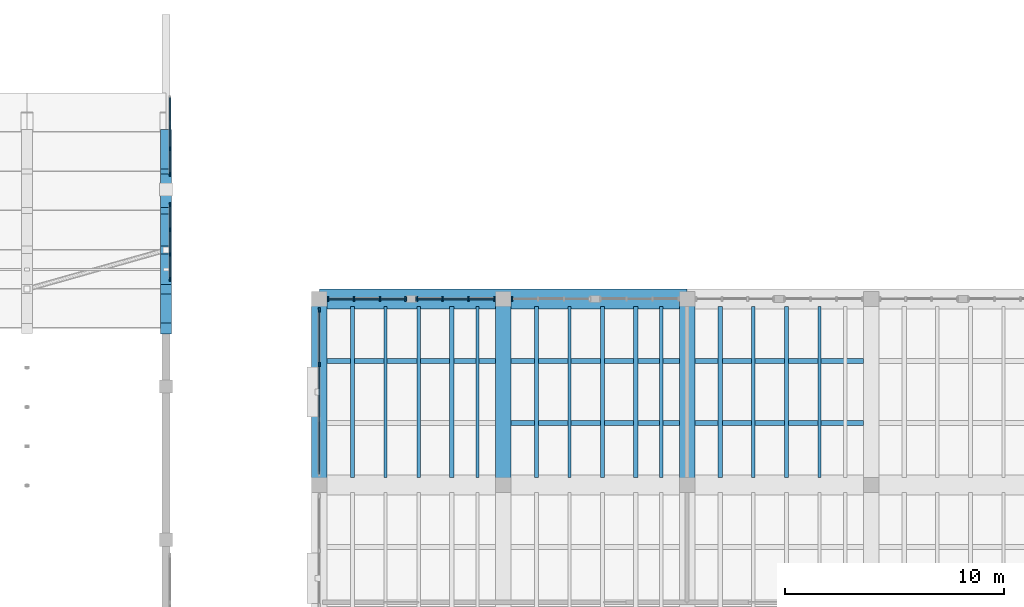
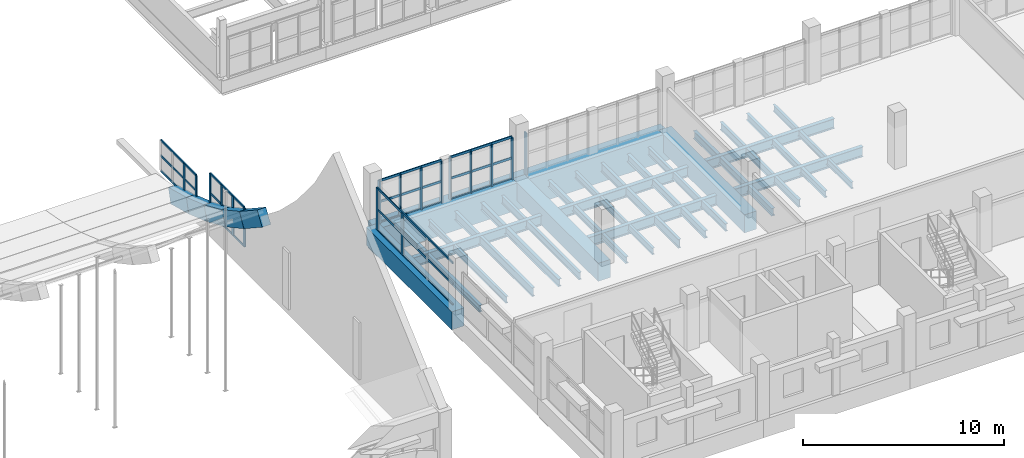
# One storey, part 34 of 77: 37 members, 23 beams, 6 elements without a shape of their own.
"""IFC4 building model written with IfcOpenShell, lengths in metres."""

from ifc_helpers import new_model, si_unit, direction, frame, origin, origin_2d, place, context, subcontext, project, spatial, rectangle, i_section, extrude, material, layer, layer_set, material_profile, profile_set, type_object, element, aggregate, save


model = new_model("IFC4")

# Units and contexts
model_context = context("Model", 3, precision=1e-05, world=origin(), true_north=direction((0.0, 1.0)))
body_context = subcontext(model_context, "Body", "Model", "MODEL_VIEW")
ifc_project = project(units=[si_unit("LENGTHUNIT", "METRE"), si_unit("AREAUNIT", "SQUARE_METRE"), si_unit("VOLUMEUNIT", "CUBIC_METRE"), si_unit("PLANEANGLEUNIT", "RADIAN"), si_unit("MASSUNIT", "GRAM", prefix="KILO")], contexts=[model_context])

# Site, building, storey
site_placement = place(None, origin())
site = spatial("IfcSite", under=ifc_project, at=site_placement, CompositionType="ELEMENT")
building_placement = place(site_placement, origin())
building = spatial("IfcBuilding", under=site, at=building_placement, Name="Trellovar Central Fire Station", CompositionType="ELEMENT")
storey_placement = place(building_placement, frame((0.0, 0.0, 5.85009765625)))
storey = spatial("IfcBuildingStorey", under=building, at=storey_placement, Name="L02", CompositionType="ELEMENT", Elevation=5.85009765625)

# Beams
ifc_material_1 = material(Name="Concrete C40/50", Category="concrete")
ifc_material_profile_1 = material_profile(ifc_material_1, rectangle(XDim=0.699951171875, YDim=1.10009765625, at=origin_2d()), Name="RC700X1100")
ifc_profile_set_1 = profile_set([ifc_material_profile_1], Name="Concrete C40/50")
beam_type_1 = type_object("IfcBeamType", Name="BM-RG1", PredefinedType="BEAM", material=ifc_profile_set_1)
for number, where, z_axis, x_axis, name in (
    (1, (105.5, 24.5, -0.550048828125), (0.0, 1.0, 0.0), (-1.0, 0.0, 0.0), "L02 transverse transfer tie girder"),
    (2, (113.89990234375, 24.5, -0.550048828125), (0.0, 1.0, 0.0), (-1.0, 0.0, 0.0), "L02 transverse transfer tie girder"),
    (3, (122.300048828125, 24.5, -0.550048828125), (0.0, 1.0, 0.0), (-1.0, 0.0, 0.0), "L02 transverse transfer tie girder"),
):
    element("IfcBeam", number, at=place(storey_placement, frame(where, z_axis=z_axis, x_axis=x_axis)), inside=storey, type_object=beam_type_1, Name=name, PredefinedType="BEAM", context=body_context, shape_type="SweptSolid", body=[
        extrude(rectangle(XDim=0.699951171875, YDim=1.10009765625, at=origin_2d()), origin(), (0.0, 0.0, 1.0), 8.5),
    ])
ifc_material_2 = material(Name="Steel ASTM A992 Grade 50", Category="steel")
ifc_material_profile_2 = material_profile(ifc_material_2, i_section(OverallWidth=0.15283203125, OverallDepth=0.45458984375, WebThickness=0.008056640625, FlangeThickness=0.01318359375, FilletRadius=0.0126953125, at=origin_2d()), Name="W18X40")
ifc_profile_set_2 = profile_set([ifc_material_profile_2], Name="Steel ASTM A992 Grade 50")
beam_type_2 = type_object("IfcBeamType", Name="BM-SW10", PredefinedType="JOIST", material=ifc_profile_set_2)
for number, where, z_axis, x_axis, name in (
    (4, (112.72412109375, 24.840087890625, -0.677490234375), (0.0, 1.0, 0.0), (-1.0, 0.0, 0.0), "L02 secondary steel deck joist"),
    (5, (121.1240234375, 24.840087890625, -0.677490234375), (0.0, 1.0, 0.0), (-1.0, 0.0, 0.0), "L02 secondary steel deck joist"),
    (6, (125.323974609375, 24.840087890625, -0.677490234375), (0.0, 1.0, 0.0), (-1.0, 0.0, 0.0), "L02 secondary steel deck joist"),
):
    element("IfcBeam", number, at=place(storey_placement, frame(where, z_axis=z_axis, x_axis=x_axis)), inside=storey, type_object=beam_type_2, Name=name, PredefinedType="JOIST", context=body_context, shape_type="SweptSolid", body=[
        extrude(i_section(OverallWidth=0.15283203125, OverallDepth=0.45458984375, WebThickness=0.008056640625, FlangeThickness=0.01318359375, FilletRadius=0.0126953125, at=origin_2d()), origin(), (0.0, 0.0, 1.0), 7.81982421875),
    ])
ifc_material_3 = material(Name="Steel ASTM A992 Grade 50", Category="steel")
ifc_material_profile_3 = material_profile(ifc_material_3, i_section(OverallWidth=0.177490234375, OverallDepth=0.40380859375, WebThickness=0.007568359375, FlangeThickness=0.010986328125, FilletRadius=0.011474609375, at=origin_2d()), Name="W16X36")
ifc_profile_set_3 = profile_set([ifc_material_profile_3], Name="Steel ASTM A992 Grade 50")
beam_type_3 = type_object("IfcBeamType", Name="BM-SW11", PredefinedType="JOIST", material=ifc_profile_set_3)
for number, where, z_axis, x_axis, name in (
    (7, (107.011962890625, 24.840087890625, -0.652099609375), (0.0, 1.0, 0.0), (-1.0, 0.0, 0.0), "L02 secondary steel deck joist"),
    (8, (115.412109375, 24.840087890625, -0.652099609375), (0.0, 1.0, 0.0), (-1.0, 0.0, 0.0), "L02 secondary steel deck joist"),
    (9, (126.8359375, 24.840087890625, -0.652099609375), (0.0, 1.0, 0.0), (-1.0, 0.0, 0.0), "L02 secondary steel deck joist"),
):
    element("IfcBeam", number, at=place(storey_placement, frame(where, z_axis=z_axis, x_axis=x_axis)), inside=storey, type_object=beam_type_3, Name=name, PredefinedType="JOIST", context=body_context, shape_type="SweptSolid", body=[
        extrude(i_section(OverallWidth=0.177490234375, OverallDepth=0.40380859375, WebThickness=0.007568359375, FlangeThickness=0.010986328125, FilletRadius=0.011474609375, at=origin_2d()), origin(), (0.0, 0.0, 1.0), 7.81982421875),
    ])
ifc_material_4 = material(Name="Steel ASTM A992 Grade 50", Category="steel")
ifc_material_profile_4 = material_profile(ifc_material_4, i_section(OverallWidth=0.140380859375, OverallDepth=0.4033203125, WebThickness=0.007080078125, FlangeThickness=0.01123046875, FilletRadius=0.011474609375, at=origin_2d()), Name="W16X31")
ifc_profile_set_4 = profile_set([ifc_material_profile_4], Name="Steel ASTM A992 Grade 50")
beam_type_4 = type_object("IfcBeamType", Name="BM-SW12", PredefinedType="JOIST", material=ifc_profile_set_4)
for number, where, z_axis, x_axis, name in (
    (10, (108.52392578125, 24.840087890625, -0.65185546875), (0.0, 1.0, 0.0), (-1.0, 0.0, 0.0), "L02 secondary steel deck joist"),
    (11, (116.924072265625, 24.840087890625, -0.65185546875), (0.0, 1.0, 0.0), (-1.0, 0.0, 0.0), "L02 secondary steel deck joist"),
    (12, (128.347900390625, 24.840087890625, -0.65185546875), (0.0, 1.0, 0.0), (-1.0, 0.0, 0.0), "L02 secondary steel deck joist"),
):
    element("IfcBeam", number, at=place(storey_placement, frame(where, z_axis=z_axis, x_axis=x_axis)), inside=storey, type_object=beam_type_4, Name=name, PredefinedType="JOIST", context=body_context, shape_type="SweptSolid", body=[
        extrude(i_section(OverallWidth=0.140380859375, OverallDepth=0.4033203125, WebThickness=0.007080078125, FlangeThickness=0.01123046875, FilletRadius=0.011474609375, at=origin_2d()), origin(), (0.0, 0.0, 1.0), 7.81982421875),
    ])
ifc_material_5 = material(Name="Steel ASTM A992 Grade 50", Category="steel")
ifc_material_profile_5 = material_profile(ifc_material_5, i_section(OverallWidth=0.227783203125, OverallDepth=0.60205078125, WebThickness=0.010498046875, FlangeThickness=0.014892578125, FilletRadius=0.01513671875, at=origin_2d()), Name="W24X68")
ifc_profile_set_5 = profile_set([ifc_material_profile_5], Name="Steel ASTM A992 Grade 50")
beam_type_5 = type_object("IfcBeamType", Name="BM-SW6", PredefinedType="BEAM", material=ifc_profile_set_5)
for number, where, z_axis, x_axis, name in (
    (13, (105.85009765625, 30.166748046875, -0.7509765625), (1.0, 0.0, 0.0), (0.0, 1.0, 0.0), "L02 transfer deck secondary steel beam"),
    (14, (114.25, 27.333251953125, -0.7509765625), (1.0, 0.0, 0.0), (0.0, 1.0, 0.0), "L02 transfer deck secondary steel beam"),
    (15, (114.25, 30.166748046875, -0.7509765625), (1.0, 0.0, 0.0), (0.0, 1.0, 0.0), "L02 transfer deck secondary steel beam"),
):
    element("IfcBeam", number, at=place(storey_placement, frame(where, z_axis=z_axis, x_axis=x_axis)), inside=storey, type_object=beam_type_5, Name=name, PredefinedType="BEAM", context=body_context, shape_type="SweptSolid", body=[
        extrude(i_section(OverallWidth=0.227783203125, OverallDepth=0.60205078125, WebThickness=0.010498046875, FlangeThickness=0.014892578125, FilletRadius=0.01513671875, at=origin_2d()), origin(), (0.0, 0.0, 1.0), 7.699951171875),
    ])
for number, where, z_axis, x_axis, name in (
    (16, (122.64990234375, 27.333251953125, -0.7509765625), (1.0, 0.0, 0.0), (0.0, 1.0, 0.0), "L02 transfer deck secondary steel beam"),
    (17, (122.64990234375, 30.166748046875, -0.7509765625), (1.0, 0.0, 0.0), (0.0, 1.0, 0.0), "L02 transfer deck secondary steel beam"),
):
    element("IfcBeam", number, at=place(storey_placement, frame(where, z_axis=z_axis, x_axis=x_axis)), inside=storey, type_object=beam_type_5, Name=name, PredefinedType="BEAM", context=body_context, shape_type="SweptSolid", body=[
        extrude(i_section(OverallWidth=0.227783203125, OverallDepth=0.60205078125, WebThickness=0.010498046875, FlangeThickness=0.014892578125, FilletRadius=0.01513671875, at=origin_2d()), origin(), (0.0, 0.0, 1.0), 7.7001953125),
    ])
ifc_material_6 = material(Name="Steel ASTM A992 Grade 50", Category="steel")
ifc_material_profile_6 = material_profile(ifc_material_6, i_section(OverallWidth=0.166015625, OverallDepth=0.529052734375, WebThickness=0.009765625, FlangeThickness=0.013671875, FilletRadius=0.013916015625, at=origin_2d()), Name="W21X50")
ifc_profile_set_6 = profile_set([ifc_material_profile_6], Name="Steel ASTM A992 Grade 50")
beam_type_6 = type_object("IfcBeamType", Name="BM-SW8", PredefinedType="JOIST", material=ifc_profile_set_6)
for number, where, z_axis, x_axis, name in (
    (18, (110.035888671875, 24.840087890625, -0.714599609375), (0.0, 1.0, 0.0), (-1.0, 0.0, 0.0), "L02 secondary steel deck joist"),
    (19, (118.43603515625, 24.840087890625, -0.714599609375), (0.0, 1.0, 0.0), (-1.0, 0.0, 0.0), "L02 secondary steel deck joist"),
):
    element("IfcBeam", number, at=place(storey_placement, frame(where, z_axis=z_axis, x_axis=x_axis)), inside=storey, type_object=beam_type_6, Name=name, PredefinedType="JOIST", context=body_context, shape_type="SweptSolid", body=[
        extrude(i_section(OverallWidth=0.166015625, OverallDepth=0.529052734375, WebThickness=0.009765625, FlangeThickness=0.013671875, FilletRadius=0.013916015625, at=origin_2d()), origin(), (0.0, 0.0, 1.0), 7.81982421875),
    ])
ifc_material_7 = material(Name="Steel ASTM A992 Grade 50", Category="steel")
ifc_material_profile_7 = material_profile(ifc_material_7, i_section(OverallWidth=0.1904296875, OverallDepth=0.457275390625, WebThickness=0.009033203125, FlangeThickness=0.014404296875, FilletRadius=0.0126953125, at=origin_2d()), Name="W18X50")
ifc_profile_set_7 = profile_set([ifc_material_profile_7], Name="Steel ASTM A992 Grade 50")
beam_type_7 = type_object("IfcBeamType", Name="BM-SW9", PredefinedType="JOIST", material=ifc_profile_set_7)
for number, where, z_axis, x_axis, name in (
    (20, (111.548095703125, 24.840087890625, -0.6787109375), (0.0, 1.0, 0.0), (-1.0, 0.0, 0.0), "L02 secondary steel deck joist"),
    (21, (119.947998046875, 24.840087890625, -0.6787109375), (0.0, 1.0, 0.0), (-1.0, 0.0, 0.0), "L02 secondary steel deck joist"),
    (22, (123.81201171875, 24.840087890625, -0.6787109375), (0.0, 1.0, 0.0), (-1.0, 0.0, 0.0), "L02 secondary steel deck joist"),
):
    element("IfcBeam", number, at=place(storey_placement, frame(where, z_axis=z_axis, x_axis=x_axis)), inside=storey, type_object=beam_type_7, Name=name, PredefinedType="JOIST", context=body_context, shape_type="SweptSolid", body=[
        extrude(i_section(OverallWidth=0.1904296875, OverallDepth=0.457275390625, WebThickness=0.009033203125, FlangeThickness=0.014404296875, FilletRadius=0.0126953125, at=origin_2d()), origin(), (0.0, 0.0, 1.0), 7.81982421875),
    ])
ifc_material_8 = material(Name="Concrete C45/55", Category="concrete")
ifc_material_profile_8 = material_profile(ifc_material_8, rectangle(XDim=0.89990234375, YDim=1.64990234375, at=origin_2d()), Name="RC900X1650")
ifc_profile_set_8 = profile_set([ifc_material_profile_8], Name="Concrete C45/55")
beam_type_8 = type_object("IfcBeamType", Name="BM-TG1", PredefinedType="BEAM", material=ifc_profile_set_8)
beam_placement = place(storey_placement, frame((105.5, 33.0, -0.8251953125), z_axis=(1.0, 0.0, 0.0), x_axis=(0.0, 1.0, 0.0)))
element("IfcBeam", 23, at=beam_placement, inside=storey, type_object=beam_type_8, Name="L02 RC transfer girder TG-1 (105.5..122.3, Y=33.0)", PredefinedType="BEAM", context=body_context, shape_type="SweptSolid", body=[
    extrude(rectangle(XDim=0.89990234375, YDim=1.64990234375, at=origin_2d()), origin(), (0.0, 0.0, 1.0), 16.800048828125),
])

# Curtain wall, members
ifc_material_9 = material(Name="Thermally broken bronze anodized aluminum", Category="aluminium")
ifc_layer_1 = layer(ifc_material_9, 0.159912109375)
ifc_layer_set_1 = layer_set([ifc_layer_1], Name="Thermally broken bronze anodized aluminum")
curtain_wall_type_1 = type_object("IfcCurtainWallType", Name="CW-09", PredefinedType="NOTDEFINED", material=ifc_layer_set_1)
curtain_wall_1_placement = place(storey_placement, origin())
curtain_wall_1 = element("IfcCurtainWall", 24, at=curtain_wall_1_placement, inside=storey, type_object=curtain_wall_type_1, Name="L02 curtain wall CW-9", PredefinedType="NOTDEFINED")
ifc_material_10 = material(Name="Thermally broken bronze anodized aluminum", Category="aluminium")
ifc_material_profile_9 = material_profile(ifc_material_10, rectangle(XDim=0.074951171875, YDim=0.199951171875, at=origin_2d()), Name="ALU75X200")
ifc_profile_set_9 = profile_set([ifc_material_profile_9], Name="Thermally broken bronze anodized aluminum")
member_type_1 = type_object("IfcMemberType", Name="CWM-1", PredefinedType="MULLION", material=ifc_profile_set_9)
member_1_placement = place(storey_placement, frame((113.5, 33.0, 0.0), z_axis=(0.0, 0.0, 1.0), x_axis=(1.0, 0.0, 0.0)))
member_1 = element("IfcMember", 25, at=member_1_placement, type_object=member_type_1, Name="CW3-L02-0059 mullion 1", PredefinedType="MULLION", context=body_context, shape_type="SweptSolid", body=[
    extrude(rectangle(XDim=0.074951171875, YDim=0.199951171875, at=origin_2d()), origin(), (0.0, 0.0, 1.0), 2.5498046875),
])
member_2_placement = place(storey_placement, frame((112.316650390625, 33.0, 0.0), z_axis=(0.0, 0.0, 1.0), x_axis=(1.0, 0.0, 0.0)))
member_2 = element("IfcMember", 26, at=member_2_placement, type_object=member_type_1, Name="CW3-L02-0059 mullion 2", PredefinedType="MULLION", context=body_context, shape_type="SweptSolid", body=[
    extrude(rectangle(XDim=0.074951171875, YDim=0.199951171875, at=origin_2d()), origin(), (0.0, 0.0, 1.0), 2.5498046875),
])
member_3_placement = place(storey_placement, frame((111.13330078125, 33.0, 0.0), z_axis=(0.0, 0.0, 1.0), x_axis=(1.0, 0.0, 0.0)))
member_3 = element("IfcMember", 27, at=member_3_placement, type_object=member_type_1, Name="CW3-L02-0059 mullion 3", PredefinedType="MULLION", context=body_context, shape_type="SweptSolid", body=[
    extrude(rectangle(XDim=0.074951171875, YDim=0.199951171875, at=origin_2d()), origin(), (0.0, 0.0, 1.0), 2.5498046875),
])
member_4_placement = place(storey_placement, frame((109.949951171875, 33.0, 0.0), z_axis=(0.0, 0.0, 1.0), x_axis=(1.0, 0.0, 0.0)))
member_4 = element("IfcMember", 28, at=member_4_placement, type_object=member_type_1, Name="CW3-L02-0059 mullion 4", PredefinedType="MULLION", context=body_context, shape_type="SweptSolid", body=[
    extrude(rectangle(XDim=0.074951171875, YDim=0.199951171875, at=origin_2d()), origin(), (0.0, 0.0, 1.0), 2.5498046875),
])

ifc_material_11 = material(Name="Thermally broken bronze anodized aluminum", Category="aluminium")
ifc_layer_2 = layer(ifc_material_11, 0.159912109375)
ifc_layer_set_2 = layer_set([ifc_layer_2], Name="Thermally broken bronze anodized aluminum")
curtain_wall_type_2 = type_object("IfcCurtainWallType", Name="CW-10", PredefinedType="NOTDEFINED", material=ifc_layer_set_2)
curtain_wall_2_placement = place(storey_placement, origin())
curtain_wall_2 = element("IfcCurtainWall", 29, at=curtain_wall_2_placement, inside=storey, type_object=curtain_wall_type_2, Name="L02 curtain wall CW-10", PredefinedType="NOTDEFINED")
member_5_placement = place(storey_placement, frame((109.449951171875, 33.0, 0.0), z_axis=(0.0, 0.0, 1.0), x_axis=(1.0, 0.0, 0.0)))
member_5 = element("IfcMember", 30, at=member_5_placement, type_object=member_type_1, Name="CW3-L02-0060 mullion 1", PredefinedType="MULLION", context=body_context, shape_type="SweptSolid", body=[
    extrude(rectangle(XDim=0.074951171875, YDim=0.199951171875, at=origin_2d()), origin(), (0.0, 0.0, 1.0), 2.5498046875),
])
member_6_placement = place(storey_placement, frame((108.2666015625, 33.0, 0.0), z_axis=(0.0, 0.0, 1.0), x_axis=(1.0, 0.0, 0.0)))
member_6 = element("IfcMember", 31, at=member_6_placement, type_object=member_type_1, Name="CW3-L02-0060 mullion 2", PredefinedType="MULLION", context=body_context, shape_type="SweptSolid", body=[
    extrude(rectangle(XDim=0.074951171875, YDim=0.199951171875, at=origin_2d()), origin(), (0.0, 0.0, 1.0), 2.5498046875),
])
member_7_placement = place(storey_placement, frame((107.083251953125, 33.0, 0.0), z_axis=(0.0, 0.0, 1.0), x_axis=(1.0, 0.0, 0.0)))
member_7 = element("IfcMember", 32, at=member_7_placement, type_object=member_type_1, Name="CW3-L02-0060 mullion 3", PredefinedType="MULLION", context=body_context, shape_type="SweptSolid", body=[
    extrude(rectangle(XDim=0.074951171875, YDim=0.199951171875, at=origin_2d()), origin(), (0.0, 0.0, 1.0), 2.5498046875),
])
member_8_placement = place(storey_placement, frame((105.89990234375, 33.0, 0.0), z_axis=(0.0, 0.0, 1.0), x_axis=(1.0, 0.0, 0.0)))
member_8 = element("IfcMember", 33, at=member_8_placement, type_object=member_type_1, Name="CW3-L02-0060 mullion 4", PredefinedType="MULLION", context=body_context, shape_type="SweptSolid", body=[
    extrude(rectangle(XDim=0.074951171875, YDim=0.199951171875, at=origin_2d()), origin(), (0.0, 0.0, 1.0), 2.5498046875),
])

# Curtain wall, member
curtain_wall_3_placement = place(storey_placement, origin())
curtain_wall_3 = element("IfcCurtainWall", 34, at=curtain_wall_3_placement, inside=storey, type_object=curtain_wall_type_2, Name="L02 curtain wall CW-10", PredefinedType="NOTDEFINED")
member_9_placement = place(storey_placement, frame((114.300048828125, 33.0, 0.0), z_axis=(0.0, 0.0, 1.0), x_axis=(1.0, 0.0, 0.0)))
member_9 = element("IfcMember", 35, at=member_9_placement, type_object=member_type_1, Name="CW3-L02-0062 mullion 4", PredefinedType="MULLION", context=body_context, shape_type="SweptSolid", body=[
    extrude(rectangle(XDim=0.074951171875, YDim=0.199951171875, at=origin_2d()), origin(), (0.0, 0.0, 1.0), 2.5498046875),
])
aggregate(curtain_wall_3, [member_9])

# Curtain wall, members
ifc_material_12 = material(Name="Thermally broken bronze anodized aluminum", Category="aluminium")
ifc_layer_3 = layer(ifc_material_12, 0.159912109375)
ifc_layer_set_3 = layer_set([ifc_layer_3], Name="Thermally broken bronze anodized aluminum")
curtain_wall_type_3 = type_object("IfcCurtainWallType", Name="CW-12", PredefinedType="NOTDEFINED", material=ifc_layer_set_3)
curtain_wall_4_placement = place(storey_placement, origin())
curtain_wall_4 = element("IfcCurtainWall", 36, at=curtain_wall_4_placement, inside=storey, type_object=curtain_wall_type_3, Name="V5 L02 west courtyard curtain wall", PredefinedType="NOTDEFINED")
member_10_placement = place(storey_placement, frame((105.5, 32.5, 0.0), z_axis=(0.0, 0.0, 1.0), x_axis=(1.0, 0.0, 0.0)))
member_10 = element("IfcMember", 37, at=member_10_placement, type_object=member_type_1, Name="CW3-L02-0073 mullion 1", PredefinedType="MULLION", context=body_context, shape_type="SweptSolid", body=[
    extrude(rectangle(XDim=0.074951171875, YDim=0.199951171875, at=origin_2d()), origin(), (0.0, 0.0, 1.0), 2.5498046875),
])
member_11_placement = place(storey_placement, frame((105.5, 30.0, 0.0), z_axis=(0.0, 0.0, 1.0), x_axis=(1.0, 0.0, 0.0)))
member_11 = element("IfcMember", 38, at=member_11_placement, type_object=member_type_1, Name="CW3-L02-0073 mullion 2", PredefinedType="MULLION", context=body_context, shape_type="SweptSolid", body=[
    extrude(rectangle(XDim=0.074951171875, YDim=0.199951171875, at=origin_2d()), origin(), (0.0, 0.0, 1.0), 2.5498046875),
])

ifc_material_13 = material(Name="Thermally broken bronze anodized aluminum", Category="aluminium")
ifc_layer_4 = layer(ifc_material_13, 0.159912109375)
ifc_layer_set_4 = layer_set([ifc_layer_4], Name="Thermally broken bronze anodized aluminum")
curtain_wall_type_4 = type_object("IfcCurtainWallType", Name="CW-16", PredefinedType="NOTDEFINED", material=ifc_layer_set_4)
curtain_wall_5_placement = place(storey_placement, origin())
curtain_wall_5 = element("IfcCurtainWall", 39, at=curtain_wall_5_placement, inside=storey, type_object=curtain_wall_type_4, Name="V1 E ski-jump gable clerestory 4", PredefinedType="NOTDEFINED")
ifc_material_14 = material(Name="Thermally broken bronze anodized aluminum", Category="aluminium")
ifc_material_profile_10 = material_profile(ifc_material_14, rectangle(XDim=0.06494140625, YDim=0.175048828125, at=origin_2d()), Name="ALU65X175")
ifc_profile_set_10 = profile_set([ifc_material_profile_10], Name="Thermally broken bronze anodized aluminum")
member_type_2 = type_object("IfcMemberType", Name="CWM-2", PredefinedType="MULLION", material=ifc_profile_set_10)
member_12_placement = place(storey_placement, frame((98.679931640625, 33.89990234375, 0.5498046875), z_axis=(0.0, 0.0, 1.0), x_axis=(1.0, 0.0, 0.0)))
member_12 = element("IfcMember", 40, at=member_12_placement, type_object=member_type_2, Name="CW3-L02-0019 mullion 1", PredefinedType="MULLION", context=body_context, shape_type="SweptSolid", body=[
    extrude(rectangle(XDim=0.06494140625, YDim=0.175048828125, at=origin_2d()), origin(), (0.0, 0.0, 1.0), 2.35009765625),
])
member_13_placement = place(storey_placement, frame((98.679931640625, 35.033203125, 0.5498046875), z_axis=(0.0, 0.0, 1.0), x_axis=(1.0, 0.0, 0.0)))
member_13 = element("IfcMember", 41, at=member_13_placement, type_object=member_type_2, Name="CW3-L02-0019 mullion 2", PredefinedType="MULLION", context=body_context, shape_type="SweptSolid", body=[
    extrude(rectangle(XDim=0.06494140625, YDim=0.175048828125, at=origin_2d()), origin(), (0.0, 0.0, 1.0), 2.35009765625),
])
member_14_placement = place(storey_placement, frame((98.679931640625, 36.166748046875, 0.5498046875), z_axis=(0.0, 0.0, 1.0), x_axis=(1.0, 0.0, 0.0)))
member_14 = element("IfcMember", 42, at=member_14_placement, type_object=member_type_2, Name="CW3-L02-0019 mullion 3", PredefinedType="MULLION", context=body_context, shape_type="SweptSolid", body=[
    extrude(rectangle(XDim=0.06494140625, YDim=0.175048828125, at=origin_2d()), origin(), (0.0, 0.0, 1.0), 2.35009765625),
])
member_15_placement = place(storey_placement, frame((98.679931640625, 37.300048828125, 0.5498046875), z_axis=(0.0, 0.0, 1.0), x_axis=(1.0, 0.0, 0.0)))
member_15 = element("IfcMember", 43, at=member_15_placement, type_object=member_type_2, Name="CW3-L02-0019 mullion 4", PredefinedType="MULLION", context=body_context, shape_type="SweptSolid", body=[
    extrude(rectangle(XDim=0.06494140625, YDim=0.175048828125, at=origin_2d()), origin(), (0.0, 0.0, 1.0), 2.35009765625),
])

ifc_material_15 = material(Name="Thermally broken bronze anodized aluminum", Category="aluminium")
ifc_layer_5 = layer(ifc_material_15, 0.159912109375)
ifc_layer_set_5 = layer_set([ifc_layer_5], Name="Thermally broken bronze anodized aluminum")
curtain_wall_type_5 = type_object("IfcCurtainWallType", Name="CW-07", PredefinedType="NOTDEFINED", material=ifc_layer_set_5)
curtain_wall_6_placement = place(storey_placement, origin())
curtain_wall_6 = element("IfcCurtainWall", 44, at=curtain_wall_6_placement, inside=storey, type_object=curtain_wall_type_5, Name="V1 E ski-jump gable clerestory 5", PredefinedType="NOTDEFINED")
member_16_placement = place(storey_placement, frame((98.679931640625, 38.699951171875, 0.099853515625), z_axis=(0.0, 0.0, 1.0), x_axis=(1.0, 0.0, 0.0)))
member_16 = element("IfcMember", 45, at=member_16_placement, type_object=member_type_2, Name="CW3-L02-0020 mullion 1", PredefinedType="MULLION", context=body_context, shape_type="SweptSolid", body=[
    extrude(rectangle(XDim=0.06494140625, YDim=0.175048828125, at=origin_2d()), origin(), (0.0, 0.0, 1.0), 1.85009765625),
])
member_17_placement = place(storey_placement, frame((98.679931640625, 39.86669921875, 0.099853515625), z_axis=(0.0, 0.0, 1.0), x_axis=(1.0, 0.0, 0.0)))
member_17 = element("IfcMember", 46, at=member_17_placement, type_object=member_type_2, Name="CW3-L02-0020 mullion 2", PredefinedType="MULLION", context=body_context, shape_type="SweptSolid", body=[
    extrude(rectangle(XDim=0.06494140625, YDim=0.175048828125, at=origin_2d()), origin(), (0.0, 0.0, 1.0), 1.85009765625),
])

# Member
ifc_material_16 = material(Name="Thermally broken bronze anodized aluminum", Category="aluminium")
ifc_material_profile_11 = material_profile(ifc_material_16, rectangle(XDim=0.06005859375, YDim=0.139892578125, at=origin_2d()), Name="ALU60X140")
ifc_profile_set_11 = profile_set([ifc_material_profile_11], Name="Thermally broken bronze anodized aluminum")
member_type_3 = type_object("IfcMemberType", Name="CWT-1", PredefinedType="USERDEFINED", material=ifc_profile_set_11)
member_18_placement = place(storey_placement, frame((113.5, 33.0, 0.0), z_axis=(-1.0, 0.0, 0.0), x_axis=(0.0, -1.0, 0.0)))
member_18 = element("IfcMember", 47, at=member_18_placement, type_object=member_type_3, Name="CW3-L02-0059 transom 1", ObjectType="TRANSOM", PredefinedType="USERDEFINED", context=body_context, shape_type="SweptSolid", body=[
    extrude(rectangle(XDim=0.06005859375, YDim=0.139892578125, at=origin_2d()), origin(), (0.0, 0.0, 1.0), 3.550048828125),
])

member_19_placement = place(storey_placement, frame((113.5, 33.0, 1.27490234375), z_axis=(-1.0, 0.0, 0.0), x_axis=(0.0, -1.0, 0.0)))
member_19 = element("IfcMember", 48, at=member_19_placement, type_object=member_type_3, Name="CW3-L02-0059 transom 2", ObjectType="TRANSOM", PredefinedType="USERDEFINED", context=body_context, shape_type="SweptSolid", body=[
    extrude(rectangle(XDim=0.06005859375, YDim=0.139892578125, at=origin_2d()), origin(), (0.0, 0.0, 1.0), 3.550048828125),
])

member_20_placement = place(storey_placement, frame((113.5, 33.0, 2.5498046875), z_axis=(-1.0, 0.0, 0.0), x_axis=(0.0, -1.0, 0.0)))
member_20 = element("IfcMember", 49, at=member_20_placement, type_object=member_type_3, Name="CW3-L02-0059 transom 3", ObjectType="TRANSOM", PredefinedType="USERDEFINED", context=body_context, shape_type="SweptSolid", body=[
    extrude(rectangle(XDim=0.06005859375, YDim=0.139892578125, at=origin_2d()), origin(), (0.0, 0.0, 1.0), 3.550048828125),
])

aggregate(curtain_wall_1, [member_1, member_2, member_3, member_4, member_18, member_19, member_20])

member_21_placement = place(storey_placement, frame((109.449951171875, 33.0, 0.0), z_axis=(-1.0, 0.0, 0.0), x_axis=(0.0, -1.0, 0.0)))
member_21 = element("IfcMember", 50, at=member_21_placement, type_object=member_type_3, Name="CW3-L02-0060 transom 1", ObjectType="TRANSOM", PredefinedType="USERDEFINED", context=body_context, shape_type="SweptSolid", body=[
    extrude(rectangle(XDim=0.06005859375, YDim=0.139892578125, at=origin_2d()), origin(), (0.0, 0.0, 1.0), 3.550048828125),
])

member_22_placement = place(storey_placement, frame((109.449951171875, 33.0, 1.27490234375), z_axis=(-1.0, 0.0, 0.0), x_axis=(0.0, -1.0, 0.0)))
member_22 = element("IfcMember", 51, at=member_22_placement, type_object=member_type_3, Name="CW3-L02-0060 transom 2", ObjectType="TRANSOM", PredefinedType="USERDEFINED", context=body_context, shape_type="SweptSolid", body=[
    extrude(rectangle(XDim=0.06005859375, YDim=0.139892578125, at=origin_2d()), origin(), (0.0, 0.0, 1.0), 3.550048828125),
])

member_23_placement = place(storey_placement, frame((109.449951171875, 33.0, 2.5498046875), z_axis=(-1.0, 0.0, 0.0), x_axis=(0.0, -1.0, 0.0)))
member_23 = element("IfcMember", 52, at=member_23_placement, type_object=member_type_3, Name="CW3-L02-0060 transom 3", ObjectType="TRANSOM", PredefinedType="USERDEFINED", context=body_context, shape_type="SweptSolid", body=[
    extrude(rectangle(XDim=0.06005859375, YDim=0.139892578125, at=origin_2d()), origin(), (0.0, 0.0, 1.0), 3.550048828125),
])

aggregate(curtain_wall_2, [member_5, member_6, member_7, member_8, member_21, member_22, member_23])

member_24_placement = place(storey_placement, frame((105.5, 32.5, 0.0), z_axis=(0.0, -1.0, 0.0), x_axis=(1.0, 0.0, 0.0)))
member_24 = element("IfcMember", 53, at=member_24_placement, type_object=member_type_3, Name="CW3-L02-0073 transom 1", ObjectType="TRANSOM", PredefinedType="USERDEFINED", context=body_context, shape_type="SweptSolid", body=[
    extrude(rectangle(XDim=0.06005859375, YDim=0.139892578125, at=origin_2d()), origin(), (0.0, 0.0, 1.0), 7.5),
])

member_25_placement = place(storey_placement, frame((105.5, 32.5, 1.27490234375), z_axis=(0.0, -1.0, 0.0), x_axis=(1.0, 0.0, 0.0)))
member_25 = element("IfcMember", 54, at=member_25_placement, type_object=member_type_3, Name="CW3-L02-0073 transom 2", ObjectType="TRANSOM", PredefinedType="USERDEFINED", context=body_context, shape_type="SweptSolid", body=[
    extrude(rectangle(XDim=0.06005859375, YDim=0.139892578125, at=origin_2d()), origin(), (0.0, 0.0, 1.0), 7.5),
])

member_26_placement = place(storey_placement, frame((105.5, 32.5, 2.5498046875), z_axis=(0.0, -1.0, 0.0), x_axis=(1.0, 0.0, 0.0)))
member_26 = element("IfcMember", 55, at=member_26_placement, type_object=member_type_3, Name="CW3-L02-0073 transom 3", ObjectType="TRANSOM", PredefinedType="USERDEFINED", context=body_context, shape_type="SweptSolid", body=[
    extrude(rectangle(XDim=0.06005859375, YDim=0.139892578125, at=origin_2d()), origin(), (0.0, 0.0, 1.0), 7.5),
])

aggregate(curtain_wall_4, [member_10, member_11, member_24, member_25, member_26])

ifc_material_17 = material(Name="Thermally broken bronze anodized aluminum", Category="aluminium")
ifc_material_profile_12 = material_profile(ifc_material_17, rectangle(XDim=0.06005859375, YDim=0.1201171875, at=origin_2d()), Name="ALU60X120")
ifc_profile_set_12 = profile_set([ifc_material_profile_12], Name="Thermally broken bronze anodized aluminum")
member_type_4 = type_object("IfcMemberType", Name="CWT-2", PredefinedType="USERDEFINED", material=ifc_profile_set_12)
member_27_placement = place(storey_placement, frame((98.679931640625, 33.89990234375, 0.5498046875), z_axis=(0.0, 1.0, 0.0), x_axis=(-1.0, 0.0, 0.0)))
member_27 = element("IfcMember", 56, at=member_27_placement, type_object=member_type_4, Name="CW3-L02-0019 transom 1", ObjectType="TRANSOM", PredefinedType="USERDEFINED", context=body_context, shape_type="SweptSolid", body=[
    extrude(rectangle(XDim=0.06005859375, YDim=0.1201171875, at=origin_2d()), origin(), (0.0, 0.0, 1.0), 3.400146484375),
])

member_28_placement = place(storey_placement, frame((98.679931640625, 33.89990234375, 1.724853515625), z_axis=(0.0, 1.0, 0.0), x_axis=(-1.0, 0.0, 0.0)))
member_28 = element("IfcMember", 57, at=member_28_placement, type_object=member_type_4, Name="CW3-L02-0019 transom 2", ObjectType="TRANSOM", PredefinedType="USERDEFINED", context=body_context, shape_type="SweptSolid", body=[
    extrude(rectangle(XDim=0.06005859375, YDim=0.1201171875, at=origin_2d()), origin(), (0.0, 0.0, 1.0), 3.400146484375),
])

member_29_placement = place(storey_placement, frame((98.679931640625, 33.89990234375, 2.89990234375), z_axis=(0.0, 1.0, 0.0), x_axis=(-1.0, 0.0, 0.0)))
member_29 = element("IfcMember", 58, at=member_29_placement, type_object=member_type_4, Name="CW3-L02-0019 transom 3", ObjectType="TRANSOM", PredefinedType="USERDEFINED", context=body_context, shape_type="SweptSolid", body=[
    extrude(rectangle(XDim=0.06005859375, YDim=0.1201171875, at=origin_2d()), origin(), (0.0, 0.0, 1.0), 3.400146484375),
])

aggregate(curtain_wall_5, [member_12, member_13, member_14, member_15, member_27, member_28, member_29])

member_30_placement = place(storey_placement, frame((98.679931640625, 38.699951171875, 0.099853515625), z_axis=(0.0, 1.0, 0.0), x_axis=(-1.0, 0.0, 0.0)))
member_30 = element("IfcMember", 59, at=member_30_placement, type_object=member_type_4, Name="CW3-L02-0020 transom 1", ObjectType="TRANSOM", PredefinedType="USERDEFINED", context=body_context, shape_type="SweptSolid", body=[
    extrude(rectangle(XDim=0.06005859375, YDim=0.1201171875, at=origin_2d()), origin(), (0.0, 0.0, 1.0), 3.5),
])

member_31_placement = place(storey_placement, frame((98.679931640625, 38.699951171875, 1.02490234375), z_axis=(0.0, 1.0, 0.0), x_axis=(-1.0, 0.0, 0.0)))
member_31 = element("IfcMember", 60, at=member_31_placement, type_object=member_type_4, Name="CW3-L02-0020 transom 2", ObjectType="TRANSOM", PredefinedType="USERDEFINED", context=body_context, shape_type="SweptSolid", body=[
    extrude(rectangle(XDim=0.06005859375, YDim=0.1201171875, at=origin_2d()), origin(), (0.0, 0.0, 1.0), 3.5),
])

member_32_placement = place(storey_placement, frame((98.679931640625, 38.699951171875, 1.949951171875), z_axis=(0.0, 1.0, 0.0), x_axis=(-1.0, 0.0, 0.0)))
member_32 = element("IfcMember", 61, at=member_32_placement, type_object=member_type_4, Name="CW3-L02-0020 transom 3", ObjectType="TRANSOM", PredefinedType="USERDEFINED", context=body_context, shape_type="SweptSolid", body=[
    extrude(rectangle(XDim=0.06005859375, YDim=0.1201171875, at=origin_2d()), origin(), (0.0, 0.0, 1.0), 3.5),
])

aggregate(curtain_wall_6, [member_16, member_17, member_30, member_31, member_32])

# Members
ifc_material_18 = material(Name="Concrete C40/50", Category="concrete")
ifc_material_profile_13 = material_profile(ifc_material_18, rectangle(XDim=0.5, YDim=0.89990234375, at=origin_2d()), Name="RC500X900")
ifc_profile_set_13 = profile_set([ifc_material_profile_13], Name="Concrete C40/50")
member_type_5 = type_object("IfcMemberType", Name="MEM-AR1", PredefinedType="CHORD", material=ifc_profile_set_13)
member_33_placement = place(storey_placement, frame((98.5, 31.6533203125, 3.73974609375), z_axis=(0.0, 0.835516018722, -0.549466088544), x_axis=(-1.0, 0.0, 0.0)))
element("IfcMember", 62, at=member_33_placement, inside=storey, type_object=member_type_5, Name="Parabolic arch rib AR-11 chord 11", PredefinedType="CHORD", context=body_context, shape_type="SweptSolid", body=[
    extrude(rectangle(XDim=0.5, YDim=0.89990234375, at=origin_2d()), origin(), (0.0, 0.0, 1.0), 2.146484375),
])
member_34_placement = place(storey_placement, frame((98.5, 33.44677734375, 2.560302734375), z_axis=(0.0, 0.879319122317, -0.476233011379), x_axis=(-1.0, 0.0, 0.0)))
element("IfcMember", 63, at=member_34_placement, inside=storey, type_object=member_type_5, Name="Parabolic arch rib AR-11 chord 12", PredefinedType="CHORD", context=body_context, shape_type="SweptSolid", body=[
    extrude(rectangle(XDim=0.5, YDim=0.89990234375, at=origin_2d()), origin(), (0.0, 0.0, 1.0), 2.039306640625),
])
member_35_placement = place(storey_placement, frame((98.5, 35.239990234375, 1.589111328125), z_axis=(0.0, 0.915259901496, -0.402863888569), x_axis=(-1.0, 0.0, 0.0)))
element("IfcMember", 64, at=member_35_placement, inside=storey, type_object=member_type_5, Name="Parabolic arch rib AR-11 chord 13", PredefinedType="CHORD", context=body_context, shape_type="SweptSolid", body=[
    extrude(rectangle(XDim=0.5, YDim=0.89990234375, at=origin_2d()), origin(), (0.0, 0.0, 1.0), 1.959228515625),
])
member_36_placement = place(storey_placement, frame((98.5, 37.033203125, 0.7998046875), z_axis=(0.0, 0.94410254219, -0.329651922232), x_axis=(-1.0, 0.0, 0.0)))
element("IfcMember", 65, at=member_36_placement, inside=storey, type_object=member_type_5, Name="Parabolic arch rib AR-11 chord 14", PredefinedType="CHORD", context=body_context, shape_type="SweptSolid", body=[
    extrude(rectangle(XDim=0.5, YDim=0.89990234375, at=origin_2d()), origin(), (0.0, 0.0, 1.0), 1.899658203125),
])
member_37_placement = place(storey_placement, frame((98.5, 38.82666015625, 0.173583984375), z_axis=(0.0, 0.966592167816, -0.25631929525), x_axis=(-1.0, 0.0, 0.0)))
element("IfcMember", 66, at=member_37_placement, inside=storey, type_object=member_type_5, Name="Parabolic arch rib AR-11 chord 15", PredefinedType="CHORD", context=body_context, shape_type="SweptSolid", body=[
    extrude(rectangle(XDim=0.5, YDim=0.89990234375, at=origin_2d()), origin(), (0.0, 0.0, 1.0), 1.85546875),
])

save(model, "model.ifc")
